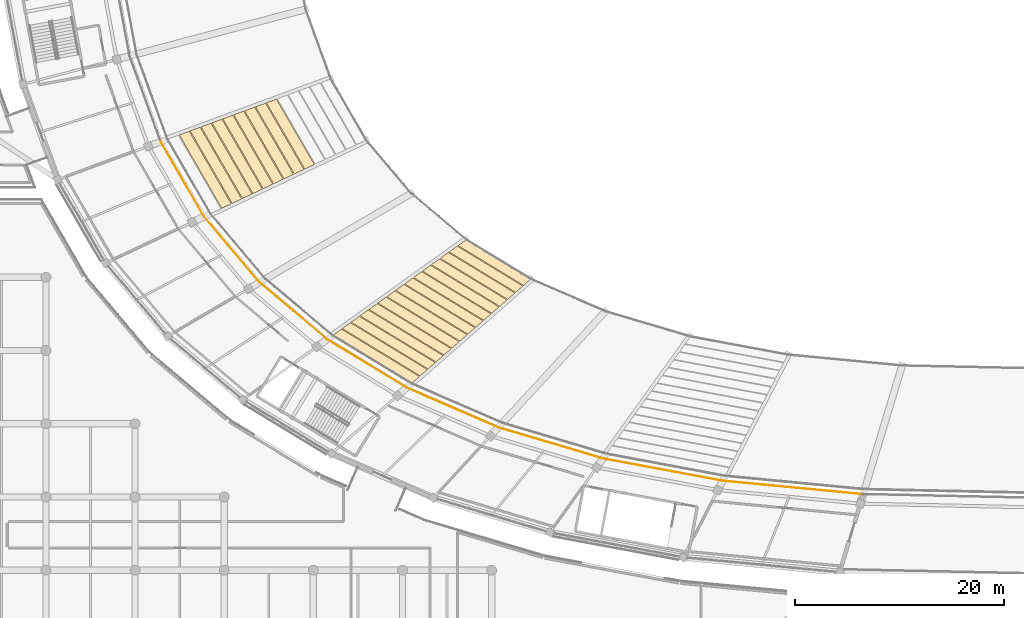
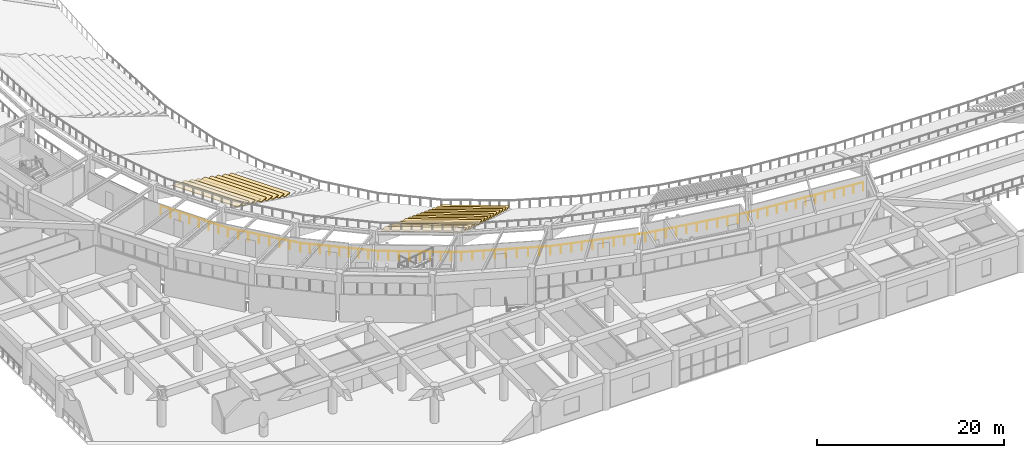
# One storey, part 114 of 137: 24 coverings, 1 railing.
"""IFC4 building model written with IfcOpenShell, lengths in metres."""

from ifc_helpers import new_model, si_unit, direction, frame, origin, origin_2d, place, context, subcontext, project, spatial, polyline, circle, outline, extrude, material, layer, layer_set, type_object, element, save


model = new_model("IFC4")

# Units and contexts
model_context = context("Model", 3, precision=1e-05, world=origin(), true_north=direction((0.0, 1.0)))
body_context = subcontext(model_context, "Body", "Model", "MODEL_VIEW")
ifc_project = project(units=[si_unit("LENGTHUNIT", "METRE"), si_unit("AREAUNIT", "SQUARE_METRE"), si_unit("VOLUMEUNIT", "CUBIC_METRE"), si_unit("PLANEANGLEUNIT", "RADIAN"), si_unit("MASSUNIT", "GRAM", prefix="KILO")], contexts=[model_context])

# Site, building, storey
site_placement = place(None, origin())
site = spatial("IfcSite", under=ifc_project, at=site_placement, CompositionType="ELEMENT")
building_placement = place(site_placement, origin())
building = spatial("IfcBuilding", under=site, at=building_placement, Name="Mphavela Belvedere Stadium", CompositionType="ELEMENT")
storey_placement = place(building_placement, frame((0.0, 0.0, 19.199951171875)))
storey = spatial("IfcBuildingStorey", under=building, at=storey_placement, Name="L04", CompositionType="ELEMENT", Elevation=19.199951171875)

# Coverings
ifc_material_1 = material(Name="Precast seating row terrazzo finish", Category="concrete")
ifc_layer = layer(ifc_material_1, 0.1201171875)
ifc_layer_set = layer_set([ifc_layer], Name="Precast seating row terrazzo finish")
covering_type = type_object("IfcCoveringType", Name="COV-SEAT-ROW-U", PredefinedType="FLOORING", material=ifc_layer_set)
covering_1_placement = place(storey_placement, frame((0.0, 0.0, -1.070068359375)))
element("IfcCovering", 1, at=covering_1_placement, inside=storey, type_object=covering_type, Name="Upper stand seating row bench B28-R06", PredefinedType="FLOORING", context=body_context, shape_type="SweptSolid", body=[
    extrude(outline(polyline([(39.068603515625, 59.0263671875), (42.685302734375, 52.77099609375), (41.772705078125, 52.339111328125), (38.110107421875, 58.67333984375), (39.068603515625, 59.0263671875)])), origin(), (0.0, 0.0, 1.0), 0.1201171875),
])
covering_2_placement = place(storey_placement, frame((0.0, 0.0, -0.603271484375)))
element("IfcCovering", 2, at=covering_2_placement, inside=storey, type_object=covering_type, Name="Upper stand seating row bench B28-R07", PredefinedType="FLOORING", context=body_context, shape_type="SweptSolid", body=[
    extrude(outline(polyline([(38.02685546875, 58.642578125), (41.693359375, 52.301513671875), (40.78076171875, 51.869384765625), (37.068603515625, 58.28955078125), (38.02685546875, 58.642578125)])), origin(), (0.0, 0.0, 1.0), 0.1201171875),
])
covering_3_placement = place(storey_placement, frame((0.0, 0.0, -0.13671875)))
element("IfcCovering", 3, at=covering_3_placement, inside=storey, type_object=covering_type, Name="Upper stand seating row bench B28-R08", PredefinedType="FLOORING", context=body_context, shape_type="SweptSolid", body=[
    extrude(outline(polyline([(36.985107421875, 58.2587890625), (40.701416015625, 51.831787109375), (39.78857421875, 51.39990234375), (36.02685546875, 57.906005859375), (36.985107421875, 58.2587890625)])), origin(), (0.0, 0.0, 1.0), 0.1201171875),
])
covering_4_placement = place(storey_placement, frame((0.0, 0.0, 0.330078125)))
element("IfcCovering", 4, at=covering_4_placement, inside=storey, type_object=covering_type, Name="Upper stand seating row bench B28-R09", PredefinedType="FLOORING", context=body_context, shape_type="SweptSolid", body=[
    extrude(outline(polyline([(35.943603515625, 57.875244140625), (39.709228515625, 51.3623046875), (38.796630859375, 50.930419921875), (34.985107421875, 57.522216796875), (35.943603515625, 57.875244140625)])), origin(), (0.0, 0.0, 1.0), 0.119873046875),
])
covering_5_placement = place(storey_placement, frame((0.0, 0.0, 0.796630859375)))
element("IfcCovering", 5, at=covering_5_placement, inside=storey, type_object=covering_type, Name="Upper stand seating row bench B28-R10", PredefinedType="FLOORING", context=body_context, shape_type="SweptSolid", body=[
    extrude(outline(polyline([(34.90185546875, 57.491455078125), (38.71728515625, 50.892822265625), (37.804443359375, 50.460693359375), (33.943603515625, 57.138427734375), (34.90185546875, 57.491455078125)])), origin(), (0.0, 0.0, 1.0), 0.1201171875),
])
covering_6_placement = place(storey_placement, frame((0.0, 0.0, 1.263427734375)))
element("IfcCovering", 6, at=covering_6_placement, inside=storey, type_object=covering_type, Name="Upper stand seating row bench B28-R11", PredefinedType="FLOORING", context=body_context, shape_type="SweptSolid", body=[
    extrude(outline(polyline([(33.860107421875, 57.107666015625), (37.72509765625, 50.423095703125), (36.8125, 49.9912109375), (32.90185546875, 56.754638671875), (33.860107421875, 57.107666015625)])), origin(), (0.0, 0.0, 1.0), 0.119873046875),
])
covering_7_placement = place(storey_placement, frame((0.0, 0.0, 1.72998046875)))
element("IfcCovering", 7, at=covering_7_placement, inside=storey, type_object=covering_type, Name="Upper stand seating row bench B28-R12", PredefinedType="FLOORING", context=body_context, shape_type="SweptSolid", body=[
    extrude(outline(polyline([(32.818603515625, 56.723876953125), (36.733154296875, 49.95361328125), (35.820556640625, 49.521728515625), (31.860107421875, 56.370849609375), (32.818603515625, 56.723876953125)])), origin(), (0.0, 0.0, 1.0), 0.1201171875),
])
covering_8_placement = place(storey_placement, frame((0.0, 0.0, 2.19677734375)))
element("IfcCovering", 8, at=covering_8_placement, inside=storey, type_object=covering_type, Name="Upper stand seating row bench B28-R13", PredefinedType="FLOORING", context=body_context, shape_type="SweptSolid", body=[
    extrude(outline(polyline([(31.77685546875, 56.340087890625), (35.7412109375, 49.484130859375), (34.828369140625, 49.052001953125), (30.818603515625, 55.987060546875), (31.77685546875, 56.340087890625)])), origin(), (0.0, 0.0, 1.0), 0.119873046875),
])
covering_9_placement = place(storey_placement, frame((0.0, 0.0, 2.663330078125)))
element("IfcCovering", 9, at=covering_9_placement, inside=storey, type_object=covering_type, Name="Upper stand seating row bench B28-R14", PredefinedType="FLOORING", context=body_context, shape_type="SweptSolid", body=[
    extrude(outline(polyline([(30.735107421875, 55.956298828125), (34.7490234375, 49.014404296875), (33.83642578125, 48.58251953125), (29.77685546875, 55.603515625), (30.735107421875, 55.956298828125)])), origin(), (0.0, 0.0, 1.0), 0.1201171875),
])
covering_10_placement = place(storey_placement, frame((0.0, 0.0, -3.4033203125)))
element("IfcCovering", 10, at=covering_10_placement, inside=storey, type_object=covering_type, Name="Upper stand seating row bench B31-R01", PredefinedType="FLOORING", context=body_context, shape_type="SweptSolid", body=[
    extrude(outline(polyline([(57.201416015625, 45.587646484375), (63.37841796875, 41.829833984375), (62.678955078125, 41.2177734375), (56.418212890625, 45.026611328125), (57.201416015625, 45.587646484375)])), origin(), (0.0, 0.0, 1.0), 0.1201171875),
])
covering_11_placement = place(storey_placement, frame((0.0, 0.0, -2.936767578125)))
element("IfcCovering", 11, at=covering_11_placement, inside=storey, type_object=covering_type, Name="Upper stand seating row bench B31-R02", PredefinedType="FLOORING", context=body_context, shape_type="SweptSolid", body=[
    extrude(outline(polyline([(56.35009765625, 44.977783203125), (62.6181640625, 41.16455078125), (61.918701171875, 40.552490234375), (55.56689453125, 44.41650390625), (56.35009765625, 44.977783203125)])), origin(), (0.0, 0.0, 1.0), 0.1201171875),
])
covering_12_placement = place(storey_placement, frame((0.0, 0.0, -2.469970703125)))
element("IfcCovering", 12, at=covering_12_placement, inside=storey, type_object=covering_type, Name="Upper stand seating row bench B31-R03", PredefinedType="FLOORING", context=body_context, shape_type="SweptSolid", body=[
    extrude(outline(polyline([(55.498779296875, 44.367919921875), (61.85791015625, 40.499267578125), (61.158203125, 39.88720703125), (54.7158203125, 43.806640625), (55.498779296875, 44.367919921875)])), origin(), (0.0, 0.0, 1.0), 0.1201171875),
])
covering_13_placement = place(storey_placement, frame((0.0, 0.0, -2.003173828125)))
element("IfcCovering", 13, at=covering_13_placement, inside=storey, type_object=covering_type, Name="Upper stand seating row bench B31-R04", PredefinedType="FLOORING", context=body_context, shape_type="SweptSolid", body=[
    extrude(outline(polyline([(54.647705078125, 43.7578125), (61.097412109375, 39.833984375), (60.39794921875, 39.221923828125), (53.864501953125, 43.19677734375), (54.647705078125, 43.7578125)])), origin(), (0.0, 0.0, 1.0), 0.119873046875),
])
covering_14_placement = place(storey_placement, frame((0.0, 0.0, -1.53662109375)))
element("IfcCovering", 14, at=covering_14_placement, inside=storey, type_object=covering_type, Name="Upper stand seating row bench B31-R05", PredefinedType="FLOORING", context=body_context, shape_type="SweptSolid", body=[
    extrude(outline(polyline([(53.79638671875, 43.14794921875), (60.337158203125, 39.168701171875), (59.6376953125, 38.556640625), (53.01318359375, 42.586669921875), (53.79638671875, 43.14794921875)])), origin(), (0.0, 0.0, 1.0), 0.119873046875),
])
covering_15_placement = place(storey_placement, frame((0.0, 0.0, -1.070068359375)))
element("IfcCovering", 15, at=covering_15_placement, inside=storey, type_object=covering_type, Name="Upper stand seating row bench B31-R06", PredefinedType="FLOORING", context=body_context, shape_type="SweptSolid", body=[
    extrude(outline(polyline([(52.945068359375, 42.537841796875), (59.576904296875, 38.50341796875), (58.877197265625, 37.891357421875), (52.161865234375, 41.976806640625), (52.945068359375, 42.537841796875)])), origin(), (0.0, 0.0, 1.0), 0.1201171875),
])
covering_16_placement = place(storey_placement, frame((0.0, 0.0, -0.603271484375)))
element("IfcCovering", 16, at=covering_16_placement, inside=storey, type_object=covering_type, Name="Upper stand seating row bench B31-R07", PredefinedType="FLOORING", context=body_context, shape_type="SweptSolid", body=[
    extrude(outline(polyline([(52.09375, 41.927978515625), (58.81640625, 37.838134765625), (58.116943359375, 37.22607421875), (51.310546875, 41.36669921875), (52.09375, 41.927978515625)])), origin(), (0.0, 0.0, 1.0), 0.1201171875),
])
covering_17_placement = place(storey_placement, frame((0.0, 0.0, -0.13671875)))
element("IfcCovering", 17, at=covering_17_placement, inside=storey, type_object=covering_type, Name="Upper stand seating row bench B31-R08", PredefinedType="FLOORING", context=body_context, shape_type="SweptSolid", body=[
    extrude(outline(polyline([(51.242431640625, 41.318115234375), (58.05615234375, 37.1728515625), (57.356689453125, 36.560791015625), (50.459228515625, 40.7568359375), (51.242431640625, 41.318115234375)])), origin(), (0.0, 0.0, 1.0), 0.1201171875),
])
covering_18_placement = place(storey_placement, frame((0.0, 0.0, 0.330078125)))
element("IfcCovering", 18, at=covering_18_placement, inside=storey, type_object=covering_type, Name="Upper stand seating row bench B31-R09", PredefinedType="FLOORING", context=body_context, shape_type="SweptSolid", body=[
    extrude(outline(polyline([(50.39111328125, 40.7080078125), (57.2958984375, 36.507568359375), (56.596435546875, 35.8955078125), (49.60791015625, 40.14697265625), (50.39111328125, 40.7080078125)])), origin(), (0.0, 0.0, 1.0), 0.119873046875),
])
covering_19_placement = place(storey_placement, frame((0.0, 0.0, 0.796630859375)))
element("IfcCovering", 19, at=covering_19_placement, inside=storey, type_object=covering_type, Name="Upper stand seating row bench B31-R10", PredefinedType="FLOORING", context=body_context, shape_type="SweptSolid", body=[
    extrude(outline(polyline([(49.539794921875, 40.09814453125), (56.53564453125, 35.84228515625), (55.836181640625, 35.22998046875), (48.756591796875, 39.537109375), (49.539794921875, 40.09814453125)])), origin(), (0.0, 0.0, 1.0), 0.1201171875),
])
covering_20_placement = place(storey_placement, frame((0.0, 0.0, 1.263427734375)))
element("IfcCovering", 20, at=covering_20_placement, inside=storey, type_object=covering_type, Name="Upper stand seating row bench B31-R11", PredefinedType="FLOORING", context=body_context, shape_type="SweptSolid", body=[
    extrude(outline(polyline([(48.688720703125, 39.48828125), (55.775146484375, 35.177001953125), (55.07568359375, 34.564697265625), (47.905517578125, 38.927001953125), (48.688720703125, 39.48828125)])), origin(), (0.0, 0.0, 1.0), 0.119873046875),
])
covering_21_placement = place(storey_placement, frame((0.0, 0.0, 1.72998046875)))
element("IfcCovering", 21, at=covering_21_placement, inside=storey, type_object=covering_type, Name="Upper stand seating row bench B31-R12", PredefinedType="FLOORING", context=body_context, shape_type="SweptSolid", body=[
    extrude(outline(polyline([(47.83740234375, 38.878173828125), (55.014892578125, 34.51171875), (54.3154296875, 33.8994140625), (47.05419921875, 38.317138671875), (47.83740234375, 38.878173828125)])), origin(), (0.0, 0.0, 1.0), 0.1201171875),
])
covering_22_placement = place(storey_placement, frame((0.0, 0.0, 2.19677734375)))
element("IfcCovering", 22, at=covering_22_placement, inside=storey, type_object=covering_type, Name="Upper stand seating row bench B31-R13", PredefinedType="FLOORING", context=body_context, shape_type="SweptSolid", body=[
    extrude(outline(polyline([(46.986083984375, 38.268310546875), (54.254638671875, 33.84619140625), (53.55517578125, 33.234130859375), (46.202880859375, 37.70703125), (46.986083984375, 38.268310546875)])), origin(), (0.0, 0.0, 1.0), 0.119873046875),
])
covering_23_placement = place(storey_placement, frame((0.0, 0.0, 2.663330078125)))
element("IfcCovering", 23, at=covering_23_placement, inside=storey, type_object=covering_type, Name="Upper stand seating row bench B31-R14", PredefinedType="FLOORING", context=body_context, shape_type="SweptSolid", body=[
    extrude(outline(polyline([(46.134765625, 37.658203125), (53.494384765625, 33.180908203125), (52.794921875, 32.56884765625), (45.3515625, 37.09716796875), (46.134765625, 37.658203125)])), origin(), (0.0, 0.0, 1.0), 0.1201171875),
])
covering_24_placement = place(storey_placement, frame((0.0, 0.0, 3.130126953125)))
element("IfcCovering", 24, at=covering_24_placement, inside=storey, type_object=covering_type, Name="Upper stand seating row bench B31-R15", PredefinedType="FLOORING", context=body_context, shape_type="SweptSolid", body=[
    extrude(outline(polyline([(45.283447265625, 37.04833984375), (52.73388671875, 32.515625), (52.034423828125, 31.903564453125), (44.500244140625, 36.4873046875), (45.283447265625, 37.04833984375)])), origin(), (0.0, 0.0, 1.0), 0.119873046875),
])

# Railing
ifc_material_2 = material(Name="Bronze and laminated glass stadium balustrade", Category="glass")
railing_type = type_object("IfcRailingType", Name="RAL-BALUSTRADE-1120", PredefinedType="BALUSTRADE", material=ifc_material_2)
railing_placement = place(storey_placement, frame((28.01220703125, 54.953369140625, 0.0)))
element("IfcRailing", 25, at=railing_placement, inside=storey, type_object=railing_type, Name="Upper bowl concourse balustrade L04-G4", PredefinedType="BALUSTRADE", context=body_context, shape_type="SweptSolid", body=[
    extrude(circle(Radius=0.02392578125, at=origin_2d()), frame((0.0, 0.0, 1.09619140625), z_axis=(0.50055372044, -0.865705477026, 0.0), x_axis=(0.865705477026, 0.50055372044, 0.0)), (0.0, 0.0, 1.0), 8.27783203125),
    extrude(circle(Radius=0.02392578125, at=origin_2d()), frame((4.1435546875, -7.166259765625, 1.09619140625), z_axis=(0.645166946233, -0.764041629421, 0.0), x_axis=(0.764041629421, 0.645166946233, 0.0)), (0.0, 0.0, 1.0), 8.21923828125),
    extrude(circle(Radius=0.02392578125, at=origin_2d()), frame((9.4462890625, -13.446044921875, 1.09619140625), z_axis=(0.764268762632, -0.644897866693, 0.0), x_axis=(0.644897866693, 0.764268762632, 0.0)), (0.0, 0.0, 1.0), 8.440673828125),
    extrude(circle(Radius=0.02392578125, at=origin_2d()), frame((15.897216796875, -18.889404296875, 1.09619140625), z_axis=(0.85432046282, -0.519746617889, 0.0), x_axis=(0.519746617889, 0.85432046282, 0.0)), (0.0, 0.0, 1.0), 8.892822265625),
    extrude(circle(Radius=0.02392578125, at=origin_2d()), frame((23.49462890625, -23.511474609375, 1.09619140625), z_axis=(0.917501847377, -0.39773151756, 0.0), x_axis=(0.39773151756, 0.917501847377, 0.0)), (0.0, 0.0, 1.0), 9.552490234375),
    extrude(circle(Radius=0.02392578125, at=origin_2d()), frame((32.259033203125, -27.310791015625, 1.09619140625), z_axis=(0.958653749155, -0.284575102972, 0.0), x_axis=(0.284575102972, 0.958653749155, 0.0)), (0.0, 0.0, 1.0), 10.43310546875),
    extrude(circle(Radius=0.02392578125, at=origin_2d()), frame((42.2607421875, -30.27978515625, 1.09619140625), z_axis=(0.983097019328, -0.183085364213, 0.0), x_axis=(0.183085364213, 0.983097019328, 0.0)), (0.0, 0.0, 1.0), 11.6279296875),
    extrude(circle(Radius=0.02392578125, at=origin_2d()), frame((53.692138671875, -32.40869140625, 1.09619140625), z_axis=(0.995484652268, -0.094922637441, 0.0), x_axis=(0.094922637441, 0.995484652268, 0.0)), (0.0, 0.0, 1.0), 13.495361328125),
    extrude(circle(Radius=0.02099609375, at=origin_2d()), origin(), (0.0, 0.0, 1.0), 1.072021484375),
    extrude(circle(Radius=0.02099609375, at=origin_2d()), frame((0.592041015625, -1.023681640625, 0.0)), (0.0, 0.0, 1.0), 1.072021484375),
    extrude(circle(Radius=0.02099609375, at=origin_2d()), frame((1.183837890625, -2.047607421875, 0.0)), (0.0, 0.0, 1.0), 1.072021484375),
    extrude(circle(Radius=0.02099609375, at=origin_2d()), frame((1.77587890625, -3.0712890625, 0.0)), (0.0, 0.0, 1.0), 1.072021484375),
    extrude(circle(Radius=0.02099609375, at=origin_2d()), frame((2.36767578125, -4.094970703125, 0.0)), (0.0, 0.0, 1.0), 1.072021484375),
    extrude(circle(Radius=0.02099609375, at=origin_2d()), frame((2.959716796875, -5.11865234375, 0.0)), (0.0, 0.0, 1.0), 1.072021484375),
    extrude(circle(Radius=0.02099609375, at=origin_2d()), frame((3.551513671875, -6.142578125, 0.0)), (0.0, 0.0, 1.0), 1.072021484375),
    extrude(circle(Radius=0.02099609375, at=origin_2d()), frame((4.1435546875, -7.166259765625, 0.0)), (0.0, 0.0, 1.0), 1.072021484375),
    extrude(circle(Radius=0.02099609375, at=origin_2d()), frame((4.901123046875, -8.0634765625, 0.0)), (0.0, 0.0, 1.0), 1.072021484375),
    extrude(circle(Radius=0.02099609375, at=origin_2d()), frame((5.65869140625, -8.96044921875, 0.0)), (0.0, 0.0, 1.0), 1.072021484375),
    extrude(circle(Radius=0.02099609375, at=origin_2d()), frame((6.416259765625, -9.857666015625, 0.0)), (0.0, 0.0, 1.0), 1.072021484375),
    extrude(circle(Radius=0.02099609375, at=origin_2d()), frame((7.173583984375, -10.754638671875, 0.0)), (0.0, 0.0, 1.0), 1.072021484375),
    extrude(circle(Radius=0.02099609375, at=origin_2d()), frame((7.93115234375, -11.65185546875, 0.0)), (0.0, 0.0, 1.0), 1.072021484375),
    extrude(circle(Radius=0.02099609375, at=origin_2d()), frame((8.688720703125, -12.548828125, 0.0)), (0.0, 0.0, 1.0), 1.072021484375),
    extrude(circle(Radius=0.02099609375, at=origin_2d()), frame((9.4462890625, -13.446044921875, 0.0)), (0.0, 0.0, 1.0), 1.072021484375),
    extrude(circle(Radius=0.02099609375, at=origin_2d()), frame((10.252685546875, -14.12646484375, 0.0)), (0.0, 0.0, 1.0), 1.072021484375),
    extrude(circle(Radius=0.02099609375, at=origin_2d()), frame((11.05908203125, -14.806884765625, 0.0)), (0.0, 0.0, 1.0), 1.072021484375),
    extrude(circle(Radius=0.02099609375, at=origin_2d()), frame((11.865478515625, -15.4873046875, 0.0)), (0.0, 0.0, 1.0), 1.072021484375),
    extrude(circle(Radius=0.02099609375, at=origin_2d()), frame((12.671875, -16.167724609375, 0.0)), (0.0, 0.0, 1.0), 1.072021484375),
    extrude(circle(Radius=0.02099609375, at=origin_2d()), frame((13.47802734375, -16.84814453125, 0.0)), (0.0, 0.0, 1.0), 1.072021484375),
    extrude(circle(Radius=0.02099609375, at=origin_2d()), frame((14.284423828125, -17.528564453125, 0.0)), (0.0, 0.0, 1.0), 1.072021484375),
    extrude(circle(Radius=0.02099609375, at=origin_2d()), frame((15.0908203125, -18.208984375, 0.0)), (0.0, 0.0, 1.0), 1.072021484375),
    extrude(circle(Radius=0.02099609375, at=origin_2d()), frame((15.897216796875, -18.889404296875, 0.0)), (0.0, 0.0, 1.0), 1.072021484375),
    extrude(circle(Radius=0.02099609375, at=origin_2d()), frame((16.846923828125, -19.46728515625, 0.0)), (0.0, 0.0, 1.0), 1.072021484375),
    extrude(circle(Radius=0.02099609375, at=origin_2d()), frame((17.796630859375, -20.044921875, 0.0)), (0.0, 0.0, 1.0), 1.072021484375),
    extrude(circle(Radius=0.02099609375, at=origin_2d()), frame((18.746337890625, -20.62255859375, 0.0)), (0.0, 0.0, 1.0), 1.072021484375),
    extrude(circle(Radius=0.02099609375, at=origin_2d()), frame((19.69580078125, -21.200439453125, 0.0)), (0.0, 0.0, 1.0), 1.072021484375),
    extrude(circle(Radius=0.02099609375, at=origin_2d()), frame((20.6455078125, -21.7783203125, 0.0)), (0.0, 0.0, 1.0), 1.072021484375),
    extrude(circle(Radius=0.02099609375, at=origin_2d()), frame((21.59521484375, -22.35595703125, 0.0)), (0.0, 0.0, 1.0), 1.072021484375),
    extrude(circle(Radius=0.02099609375, at=origin_2d()), frame((22.544921875, -22.93359375, 0.0)), (0.0, 0.0, 1.0), 1.072021484375),
    extrude(circle(Radius=0.02099609375, at=origin_2d()), frame((23.49462890625, -23.511474609375, 0.0)), (0.0, 0.0, 1.0), 1.072021484375),
    extrude(circle(Radius=0.02099609375, at=origin_2d()), frame((24.590087890625, -23.986328125, 0.0)), (0.0, 0.0, 1.0), 1.072021484375),
    extrude(circle(Radius=0.02099609375, at=origin_2d()), frame((25.685791015625, -24.46142578125, 0.0)), (0.0, 0.0, 1.0), 1.072021484375),
    extrude(circle(Radius=0.02099609375, at=origin_2d()), frame((26.78125, -24.936279296875, 0.0)), (0.0, 0.0, 1.0), 1.072021484375),
    extrude(circle(Radius=0.02099609375, at=origin_2d()), frame((27.876953125, -25.4111328125, 0.0)), (0.0, 0.0, 1.0), 1.072021484375),
    extrude(circle(Radius=0.02099609375, at=origin_2d()), frame((28.972412109375, -25.885986328125, 0.0)), (0.0, 0.0, 1.0), 1.072021484375),
    extrude(circle(Radius=0.02099609375, at=origin_2d()), frame((30.06787109375, -26.36083984375, 0.0)), (0.0, 0.0, 1.0), 1.072021484375),
    extrude(circle(Radius=0.02099609375, at=origin_2d()), frame((31.16357421875, -26.8359375, 0.0)), (0.0, 0.0, 1.0), 1.072021484375),
    extrude(circle(Radius=0.02099609375, at=origin_2d()), frame((32.259033203125, -27.310791015625, 0.0)), (0.0, 0.0, 1.0), 1.072021484375),
    extrude(circle(Radius=0.02099609375, at=origin_2d()), frame((33.370361328125, -27.640625, 0.0)), (0.0, 0.0, 1.0), 1.072021484375),
    extrude(circle(Radius=0.02099609375, at=origin_2d()), frame((34.481689453125, -27.970458984375, 0.0)), (0.0, 0.0, 1.0), 1.072021484375),
    extrude(circle(Radius=0.02099609375, at=origin_2d()), frame((35.593017578125, -28.300537109375, 0.0)), (0.0, 0.0, 1.0), 1.072021484375),
    extrude(circle(Radius=0.02099609375, at=origin_2d()), frame((36.704345703125, -28.63037109375, 0.0)), (0.0, 0.0, 1.0), 1.072021484375),
    extrude(circle(Radius=0.02099609375, at=origin_2d()), frame((37.8154296875, -28.960205078125, 0.0)), (0.0, 0.0, 1.0), 1.072021484375),
    extrude(circle(Radius=0.02099609375, at=origin_2d()), frame((38.9267578125, -29.2900390625, 0.0)), (0.0, 0.0, 1.0), 1.072021484375),
    extrude(circle(Radius=0.02099609375, at=origin_2d()), frame((40.0380859375, -29.6201171875, 0.0)), (0.0, 0.0, 1.0), 1.072021484375),
    extrude(circle(Radius=0.02099609375, at=origin_2d()), frame((41.1494140625, -29.949951171875, 0.0)), (0.0, 0.0, 1.0), 1.072021484375),
    extrude(circle(Radius=0.02099609375, at=origin_2d()), frame((42.2607421875, -30.27978515625, 0.0)), (0.0, 0.0, 1.0), 1.072021484375),
    extrude(circle(Radius=0.02099609375, at=origin_2d()), frame((43.40380859375, -30.49267578125, 0.0)), (0.0, 0.0, 1.0), 1.072021484375),
    extrude(circle(Radius=0.02099609375, at=origin_2d()), frame((44.547119140625, -30.70556640625, 0.0)), (0.0, 0.0, 1.0), 1.072021484375),
    extrude(circle(Radius=0.02099609375, at=origin_2d()), frame((45.690185546875, -30.91845703125, 0.0)), (0.0, 0.0, 1.0), 1.072021484375),
    extrude(circle(Radius=0.02099609375, at=origin_2d()), frame((46.833251953125, -31.13134765625, 0.0)), (0.0, 0.0, 1.0), 1.072021484375),
    extrude(circle(Radius=0.02099609375, at=origin_2d()), frame((47.9765625, -31.34423828125, 0.0)), (0.0, 0.0, 1.0), 1.072021484375),
    extrude(circle(Radius=0.02099609375, at=origin_2d()), frame((49.11962890625, -31.55712890625, 0.0)), (0.0, 0.0, 1.0), 1.072021484375),
    extrude(circle(Radius=0.02099609375, at=origin_2d()), frame((50.2626953125, -31.77001953125, 0.0)), (0.0, 0.0, 1.0), 1.072021484375),
    extrude(circle(Radius=0.02099609375, at=origin_2d()), frame((51.40576171875, -31.98291015625, 0.0)), (0.0, 0.0, 1.0), 1.072021484375),
    extrude(circle(Radius=0.02099609375, at=origin_2d()), frame((52.549072265625, -32.19580078125, 0.0)), (0.0, 0.0, 1.0), 1.072021484375),
    extrude(circle(Radius=0.02099609375, at=origin_2d()), frame((53.692138671875, -32.40869140625, 0.0)), (0.0, 0.0, 1.0), 1.072021484375),
    extrude(circle(Radius=0.02099609375, at=origin_2d()), frame((54.811767578125, -32.515380859375, 0.0)), (0.0, 0.0, 1.0), 1.072021484375),
    extrude(circle(Radius=0.02099609375, at=origin_2d()), frame((55.93115234375, -32.6220703125, 0.0)), (0.0, 0.0, 1.0), 1.072021484375),
    extrude(circle(Radius=0.02099609375, at=origin_2d()), frame((57.05078125, -32.72900390625, 0.0)), (0.0, 0.0, 1.0), 1.072021484375),
    extrude(circle(Radius=0.02099609375, at=origin_2d()), frame((58.170166015625, -32.835693359375, 0.0)), (0.0, 0.0, 1.0), 1.072021484375),
    extrude(circle(Radius=0.02099609375, at=origin_2d()), frame((59.289794921875, -32.9423828125, 0.0)), (0.0, 0.0, 1.0), 1.072021484375),
    extrude(circle(Radius=0.02099609375, at=origin_2d()), frame((60.4091796875, -33.04931640625, 0.0)), (0.0, 0.0, 1.0), 1.072021484375),
    extrude(circle(Radius=0.02099609375, at=origin_2d()), frame((61.52880859375, -33.156005859375, 0.0)), (0.0, 0.0, 1.0), 1.072021484375),
    extrude(circle(Radius=0.02099609375, at=origin_2d()), frame((62.6484375, -33.2626953125, 0.0)), (0.0, 0.0, 1.0), 1.072021484375),
    extrude(circle(Radius=0.02099609375, at=origin_2d()), frame((63.767822265625, -33.369384765625, 0.0)), (0.0, 0.0, 1.0), 1.072021484375),
    extrude(circle(Radius=0.02099609375, at=origin_2d()), frame((64.887451171875, -33.47607421875, 0.0)), (0.0, 0.0, 1.0), 1.072021484375),
    extrude(circle(Radius=0.02099609375, at=origin_2d()), frame((66.0068359375, -33.5830078125, 0.0)), (0.0, 0.0, 1.0), 1.072021484375),
    extrude(circle(Radius=0.02099609375, at=origin_2d()), frame((67.12646484375, -33.689697265625, 0.0)), (0.0, 0.0, 1.0), 1.072021484375),
])

save(model, "model.ifc")
